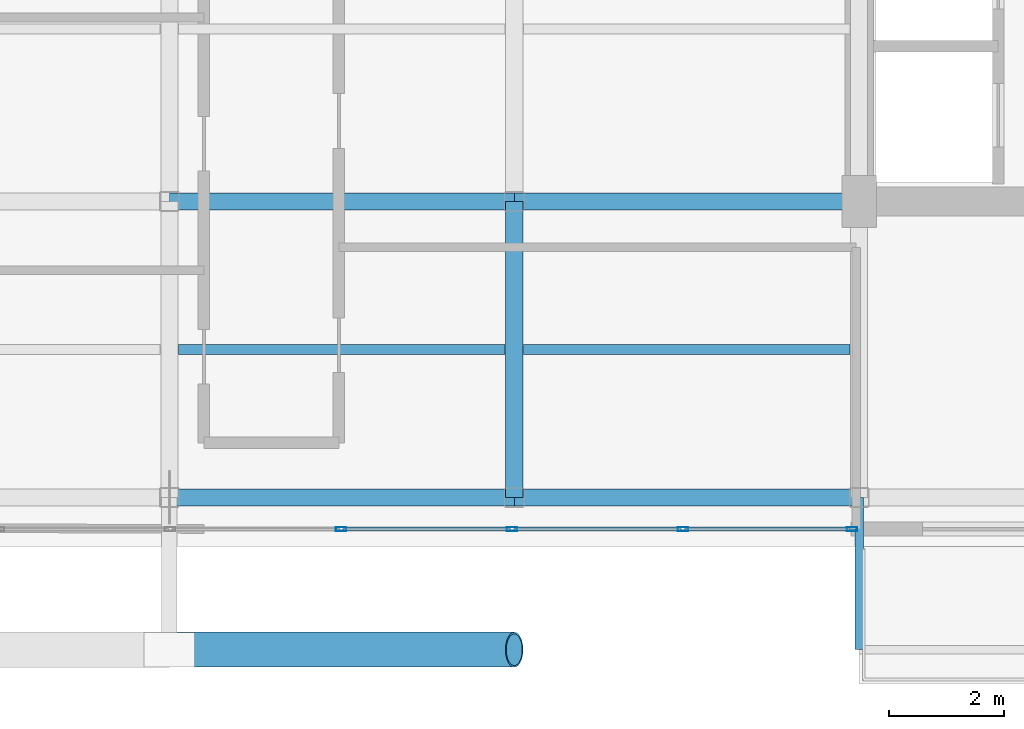
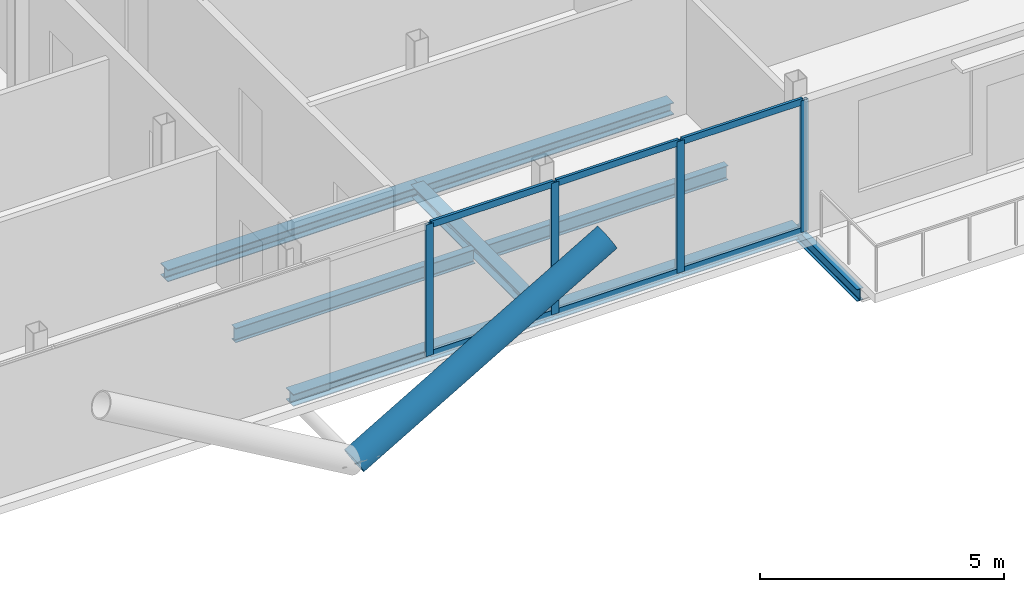
# One storey, part 4 of 18: 11 members, 8 beams, 1 element without a shape of its own.
"""IFC4 building model written with IfcOpenShell, lengths in metres."""

from ifc_helpers import new_model, si_unit, direction, frame, origin, origin_2d, place, context, subcontext, project, spatial, hollow_rectangle, hollow_circle, i_section, extrude, material, layer, layer_set, material_profile, profile_set, type_object, element, aggregate, save


model = new_model("IFC4")

# Units and contexts
model_context = context("Model", 3, precision=1e-05, world=origin(), true_north=direction((0.0, 1.0)))
body_context = subcontext(model_context, "Body", "Model", "MODEL_VIEW")
ifc_project = project(units=[si_unit("LENGTHUNIT", "METRE"), si_unit("AREAUNIT", "SQUARE_METRE"), si_unit("VOLUMEUNIT", "CUBIC_METRE"), si_unit("PLANEANGLEUNIT", "RADIAN"), si_unit("MASSUNIT", "GRAM", prefix="KILO"), si_unit("THERMODYNAMICTEMPERATUREUNIT", "KELVIN"), si_unit("POWERUNIT", "WATT")], contexts=[model_context])

# Site, building, storey
site_placement = place(None, origin())
site = spatial("IfcSite", under=ifc_project, at=site_placement, CompositionType="ELEMENT")
building_placement = place(site_placement, origin())
building = spatial("IfcBuilding", under=site, at=building_placement, Name="Svarakhadi Broadcast Tower", CompositionType="ELEMENT")
storey_placement = place(building_placement, frame((0.0, 0.0, 274.699951171875)))
storey = spatial("IfcBuildingStorey", under=building, at=storey_placement, Name="L69", CompositionType="ELEMENT", Elevation=274.699951171875)

# Beams
ifc_material_1 = material(Name="Steel S355J2 (IS 2062 E350C)", Category="steel")
ifc_material_profile_1 = material_profile(ifc_material_1, i_section(OverallWidth=0.169921875, OverallDepth=0.360107421875, WebThickness=0.008056640625, FlangeThickness=0.0126953125, FilletRadius=0.01806640625, at=origin_2d()), Name="NPB 360x170x57")
ifc_profile_set_1 = profile_set([ifc_material_profile_1], Name="Steel S355J2 (IS 2062 E350C)")
beam_type_1 = type_object("IfcBeamType", Name="Beam_NPB360", PredefinedType="BEAM", material=ifc_profile_set_1)
for number, where, z_axis, x_axis, name in (
    (1, (12.159912109375, 3.425048828125, -0.3798828125), (1.0, 0.0, 0.0), (0.0, 1.0, 0.0), "L69 Secondary Composite Beam SB007"),
    (2, (18.159912109375, 3.425048828125, -0.3798828125), (1.0, 0.0, 0.0), (0.0, 1.0, 0.0), "L69 Secondary Composite Beam SB010"),
):
    element("IfcBeam", number, at=place(storey_placement, frame(where, z_axis=z_axis, x_axis=x_axis)), inside=storey, type_object=beam_type_1, Name=name, PredefinedType="BEAM", context=body_context, shape_type="SweptSolid", body=[
        extrude(i_section(OverallWidth=0.169921875, OverallDepth=0.360107421875, WebThickness=0.008056640625, FlangeThickness=0.0126953125, FilletRadius=0.01806640625, at=origin_2d()), origin(), (0.0, 0.0, 1.0), 5.68017578125),
    ])

# Curtain wall, members
ifc_material_2 = material(Name="Anodised Bronze Aluminium AA 6063-T6", Category="aluminium")
ifc_layer = layer(ifc_material_2, 0.179931640625)
ifc_layer_set = layer_set([ifc_layer], Name="Anodised Bronze Aluminium AA 6063-T6")
curtain_wall_type = type_object("IfcCurtainWallType", Name="CW_Sys_05", PredefinedType="NOTDEFINED", material=ifc_layer_set)
curtain_wall_placement = place(storey_placement, origin())
curtain_wall = element("IfcCurtainWall", 3, at=curtain_wall_placement, inside=storey, type_object=curtain_wall_type, Name="L69 South Curtain Wall 15", PredefinedType="NOTDEFINED")
ifc_material_profile_2 = material_profile(ifc_material_2, hollow_rectangle(XDim=0.070068359375, YDim=0.179931640625, WallThickness=0.005615234375, at=origin_2d()), Name="ALU MULLION 180x70x6")
ifc_profile_set_2 = profile_set([ifc_material_profile_2], Name="Anodised Bronze Aluminium AA 6063-T6")
member_type_1 = type_object("IfcMemberType", Name="CW_Sys_05_Mul", PredefinedType="MULLION", material=ifc_profile_set_2)
member_1_placement = place(storey_placement, frame((23.875, 0.300048828125, 0.0), z_axis=(0.0, 0.0, 1.0), x_axis=(0.0, -1.0, 0.0)))
member_1 = element("IfcMember", 4, at=member_1_placement, type_object=member_type_1, Name="CW-05 mullion 1", PredefinedType="MULLION", context=body_context, shape_type="SweptSolid", body=[
    extrude(hollow_rectangle(XDim=0.070068359375, YDim=0.179931640625, WallThickness=0.005615234375, at=origin_2d()), origin(), (0.0, 0.0, 1.0), 3.300048828125),
])
member_2_placement = place(storey_placement, frame((20.935791015625, 0.300048828125, 0.0), z_axis=(0.0, 0.0, 1.0), x_axis=(0.0, -1.0, 0.0)))
member_2 = element("IfcMember", 5, at=member_2_placement, type_object=member_type_1, Name="CW-05 mullion 2", PredefinedType="MULLION", context=body_context, shape_type="SweptSolid", body=[
    extrude(hollow_rectangle(XDim=0.070068359375, YDim=0.179931640625, WallThickness=0.005615234375, at=origin_2d()), origin(), (0.0, 0.0, 1.0), 3.300048828125),
])
member_3_placement = place(storey_placement, frame((17.96142578125, 0.300048828125, 0.0), z_axis=(0.0, 0.0, 1.0), x_axis=(0.0, -1.0, 0.0)))
member_3 = element("IfcMember", 6, at=member_3_placement, type_object=member_type_1, Name="CW-05 mullion 3", PredefinedType="MULLION", context=body_context, shape_type="SweptSolid", body=[
    extrude(hollow_rectangle(XDim=0.070068359375, YDim=0.179931640625, WallThickness=0.005615234375, at=origin_2d()), origin(), (0.0, 0.0, 1.0), 3.300048828125),
])
member_4_placement = place(storey_placement, frame((14.987060546875, 0.300048828125, 0.0), z_axis=(0.0, 0.0, 1.0), x_axis=(0.0, -1.0, 0.0)))
member_4 = element("IfcMember", 7, at=member_4_placement, type_object=member_type_1, Name="CW-05 mullion 4", PredefinedType="MULLION", context=body_context, shape_type="SweptSolid", body=[
    extrude(hollow_rectangle(XDim=0.070068359375, YDim=0.179931640625, WallThickness=0.005615234375, at=origin_2d()), origin(), (0.0, 0.0, 1.0), 3.300048828125),
])
ifc_material_profile_3 = material_profile(ifc_material_2, hollow_rectangle(XDim=0.06494140625, YDim=0.1650390625, WallThickness=0.0048828125, at=origin_2d()), Name="ALU TRANSOM 165x65x5")
ifc_profile_set_3 = profile_set([ifc_material_profile_3], Name="Anodised Bronze Aluminium AA 6063-T6")
member_type_2 = type_object("IfcMemberType", Name="CW_Sys_05_Trn", PredefinedType="USERDEFINED", material=ifc_profile_set_3)
member_5_placement = place(storey_placement, frame((23.840087890625, 0.300048828125, 0.032470703125), z_axis=(-1.0, 0.0, 0.0), x_axis=(0.0, -1.0, 0.0)))
member_5 = element("IfcMember", 8, at=member_5_placement, type_object=member_type_2, Name="CW-05 transom 1.1", ObjectType="TRANSOM", PredefinedType="USERDEFINED", context=body_context, shape_type="SweptSolid", body=[
    extrude(hollow_rectangle(XDim=0.06494140625, YDim=0.1650390625, WallThickness=0.0048828125, at=origin_2d()), origin(), (0.0, 0.0, 1.0), 2.869384765625),
])
member_6_placement = place(storey_placement, frame((23.840087890625, 0.300048828125, 3.267578125), z_axis=(-1.0, 0.0, 0.0), x_axis=(0.0, -1.0, 0.0)))
member_6 = element("IfcMember", 9, at=member_6_placement, type_object=member_type_2, Name="CW-05 transom 1.2", ObjectType="TRANSOM", PredefinedType="USERDEFINED", context=body_context, shape_type="SweptSolid", body=[
    extrude(hollow_rectangle(XDim=0.06494140625, YDim=0.1650390625, WallThickness=0.0048828125, at=origin_2d()), origin(), (0.0, 0.0, 1.0), 2.869384765625),
])
member_7_placement = place(storey_placement, frame((20.900634765625, 0.300048828125, 0.032470703125), z_axis=(-1.0, 0.0, 0.0), x_axis=(0.0, -1.0, 0.0)))
member_7 = element("IfcMember", 10, at=member_7_placement, type_object=member_type_2, Name="CW-05 transom 2.1", ObjectType="TRANSOM", PredefinedType="USERDEFINED", context=body_context, shape_type="SweptSolid", body=[
    extrude(hollow_rectangle(XDim=0.06494140625, YDim=0.1650390625, WallThickness=0.0048828125, at=origin_2d()), origin(), (0.0, 0.0, 1.0), 2.904296875),
])
member_8_placement = place(storey_placement, frame((20.900634765625, 0.300048828125, 3.267578125), z_axis=(-1.0, 0.0, 0.0), x_axis=(0.0, -1.0, 0.0)))
member_8 = element("IfcMember", 11, at=member_8_placement, type_object=member_type_2, Name="CW-05 transom 2.2", ObjectType="TRANSOM", PredefinedType="USERDEFINED", context=body_context, shape_type="SweptSolid", body=[
    extrude(hollow_rectangle(XDim=0.06494140625, YDim=0.1650390625, WallThickness=0.0048828125, at=origin_2d()), origin(), (0.0, 0.0, 1.0), 2.904296875),
])
member_9_placement = place(storey_placement, frame((17.926513671875, 0.300048828125, 0.032470703125), z_axis=(-1.0, 0.0, 0.0), x_axis=(0.0, -1.0, 0.0)))
member_9 = element("IfcMember", 12, at=member_9_placement, type_object=member_type_2, Name="CW-05 transom 3.1", ObjectType="TRANSOM", PredefinedType="USERDEFINED", context=body_context, shape_type="SweptSolid", body=[
    extrude(hollow_rectangle(XDim=0.06494140625, YDim=0.1650390625, WallThickness=0.0048828125, at=origin_2d()), origin(), (0.0, 0.0, 1.0), 2.904296875),
])
member_10_placement = place(storey_placement, frame((17.926513671875, 0.300048828125, 3.267578125), z_axis=(-1.0, 0.0, 0.0), x_axis=(0.0, -1.0, 0.0)))
member_10 = element("IfcMember", 13, at=member_10_placement, type_object=member_type_2, Name="CW-05 transom 3.2", ObjectType="TRANSOM", PredefinedType="USERDEFINED", context=body_context, shape_type="SweptSolid", body=[
    extrude(hollow_rectangle(XDim=0.06494140625, YDim=0.1650390625, WallThickness=0.0048828125, at=origin_2d()), origin(), (0.0, 0.0, 1.0), 2.904296875),
])
aggregate(curtain_wall, [member_1, member_2, member_3, member_4, member_5, member_6, member_7, member_8, member_9, member_10])

# Member
ifc_material_3 = material(Name="Steel S460ML (IS 2062 E450BR)", Category="steel")
ifc_material_profile_4 = material_profile(ifc_material_3, hollow_circle(Radius=0.304931640625, WallThickness=0.030029296875, at=origin_2d()), Name="CHS 610x30")
ifc_profile_set_4 = profile_set([ifc_material_profile_4], Name="Steel S460ML (IS 2062 E450BR)")
member_type_3 = type_object("IfcMemberType", Name="Exo_Brace_CHS610", PredefinedType="BRACE", material=ifc_profile_set_4)
member_11_placement = place(storey_placement, frame((12.0, -1.800048828125, -0.33642578125), z_axis=(0.863778900898, 0.0, 0.503871025524), x_axis=(0.0, 1.0, 0.0)))
element("IfcMember", 14, at=member_11_placement, inside=storey, type_object=member_type_3, Name="L69 Exposed Bronze Exoskeleton Diagonal S02", PredefinedType="BRACE", context=body_context, shape_type="SweptSolid", body=[
    extrude(hollow_circle(Radius=0.304931640625, WallThickness=0.030029296875, at=origin_2d()), origin(), (0.0, 0.0, 1.0), 6.9462890625),
])

# Beams
ifc_material_profile_5 = material_profile(ifc_material_1, i_section(OverallWidth=0.300048828125, OverallDepth=0.300048828125, WebThickness=0.010986328125, FlangeThickness=0.01904296875, FilletRadius=0.027099609375, at=origin_2d()), Name="WPB 300x300x117")
ifc_profile_set_5 = profile_set([ifc_material_profile_5], Name="Steel S355J2 (IS 2062 E350C)")
beam_type_2 = type_object("IfcBeamType", Name="Girder_WPB300", PredefinedType="USERDEFINED", material=ifc_profile_set_5)
for number, where, z_axis, x_axis, name in (
    (15, (12.0, 0.85009765625, -0.349853515625), (1.0, 0.0, 0.0), (0.0, 1.0, 0.0), "L69 Primary E-W Girder G005"),
    (16, (18.0, 0.85009765625, -0.349853515625), (1.0, 0.0, 0.0), (0.0, 1.0, 0.0), "L69 Primary E-W Girder G006"),
    (17, (12.0, 6.0, -0.349853515625), (1.0, 0.0, 0.0), (0.0, 1.0, 0.0), "L69 Primary E-W Girder G010"),
    (18, (18.0, 6.0, -0.349853515625), (1.0, 0.0, 0.0), (0.0, 1.0, 0.0), "L69 Primary E-W Girder G011"),
):
    element("IfcBeam", number, at=place(storey_placement, frame(where, z_axis=z_axis, x_axis=x_axis)), inside=storey, type_object=beam_type_2, Name=name, ObjectType="GIRDER", PredefinedType="USERDEFINED", context=body_context, shape_type="SweptSolid", body=[
        extrude(i_section(OverallWidth=0.300048828125, OverallDepth=0.300048828125, WebThickness=0.010986328125, FlangeThickness=0.01904296875, FilletRadius=0.027099609375, at=origin_2d()), origin(), (0.0, 0.0, 1.0), 6.0),
    ])
beam_1_placement = place(storey_placement, frame((18.0, 0.85009765625, -0.349853515625), z_axis=(0.0, 1.0, 0.0), x_axis=(-1.0, 0.0, 0.0)))
element("IfcBeam", 19, at=beam_1_placement, inside=storey, type_object=beam_type_2, Name="L69 Primary N-S Girder G036", ObjectType="GIRDER", PredefinedType="USERDEFINED", context=body_context, shape_type="SweptSolid", body=[
    extrude(i_section(OverallWidth=0.300048828125, OverallDepth=0.300048828125, WebThickness=0.010986328125, FlangeThickness=0.01904296875, FilletRadius=0.027099609375, at=origin_2d()), origin(), (0.0, 0.0, 1.0), 5.14990234375),
])
ifc_material_profile_6 = material_profile(ifc_material_1, i_section(OverallWidth=0.14990234375, OverallDepth=0.300048828125, WebThickness=0.007080078125, FlangeThickness=0.0107421875, FilletRadius=0.014892578125, at=origin_2d()), Name="NPB 300x150x37")
ifc_profile_set_6 = profile_set([ifc_material_profile_6], Name="Steel S355J2 (IS 2062 E350C)")
beam_type_3 = type_object("IfcBeamType", Name="Spandrel_NPB300", PredefinedType="SPANDREL", material=ifc_profile_set_6)
beam_2_placement = place(storey_placement, frame((24.0, 0.85009765625, -0.375), z_axis=(0.0, -1.0, 0.0), x_axis=(1.0, 0.0, 0.0)))
element("IfcBeam", 20, at=beam_2_placement, inside=storey, type_object=beam_type_3, Name="L69 Balcony Cantilever Bracket 1A", PredefinedType="SPANDREL", context=body_context, shape_type="SweptSolid", body=[
    extrude(i_section(OverallWidth=0.14990234375, OverallDepth=0.300048828125, WebThickness=0.007080078125, FlangeThickness=0.0107421875, FilletRadius=0.014892578125, at=origin_2d()), origin(), (0.0, 0.0, 1.0), 2.650146484375),
])

save(model, "model.ifc")
